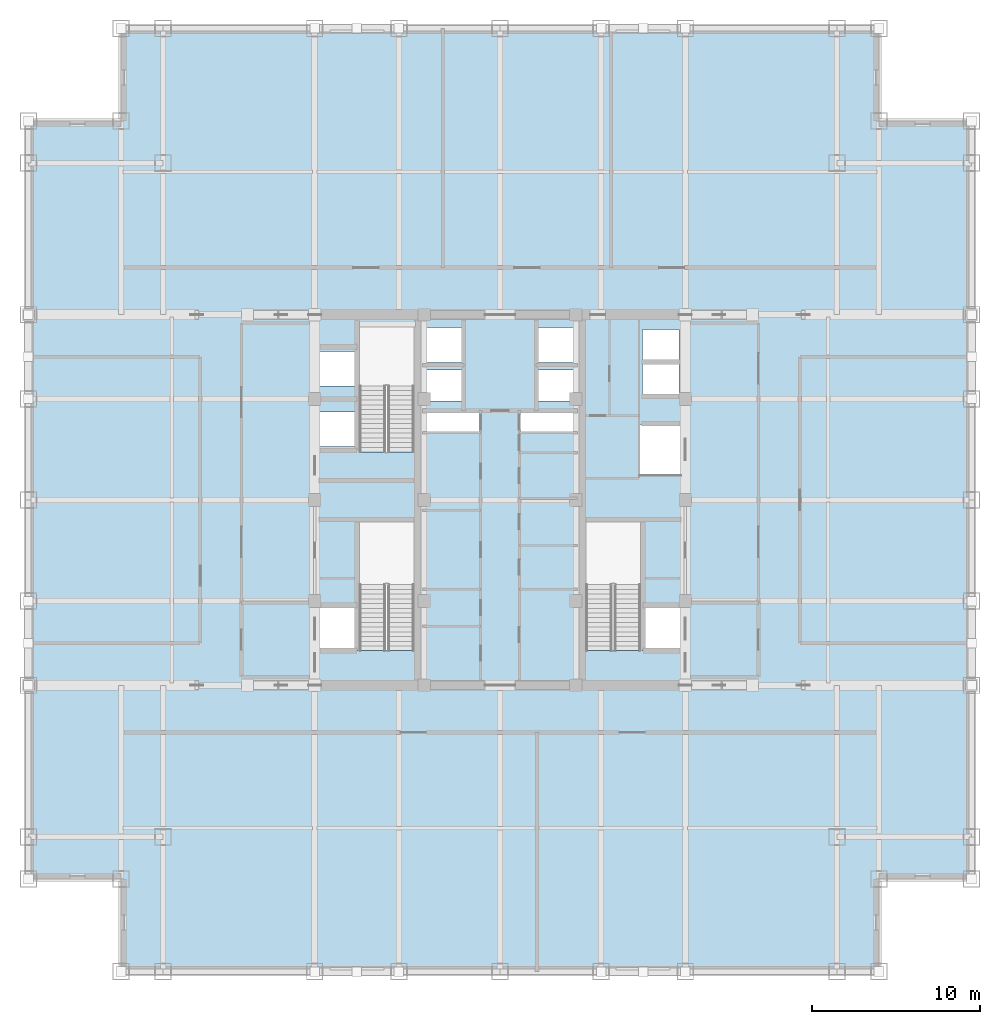
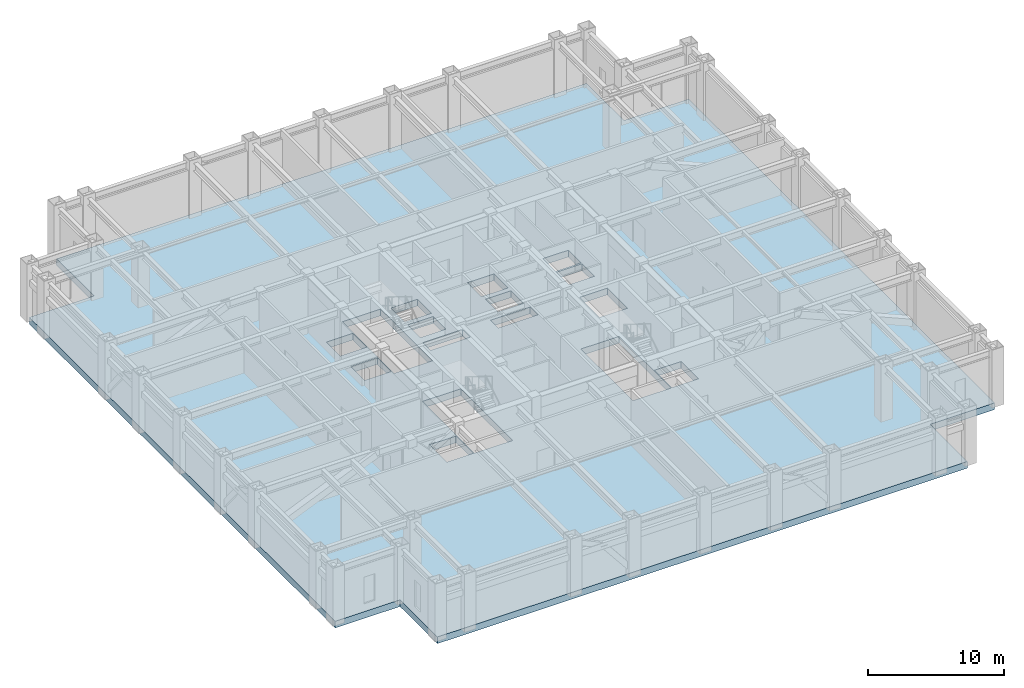
# One storey, part 4 of 11: 1 slab.
"""IFC4 building model written with IfcOpenShell, lengths in metres."""

from ifc_helpers import new_model, si_unit, direction, frame, origin, place, context, subcontext, project, spatial, polyline, outline, extrude, material, layer, layer_set, type_object, element, save


model = new_model("IFC4")

# Units and contexts
model_context = context("Model", 3, precision=1e-05, world=origin(), true_north=direction((0.0, 1.0)))
body_context = subcontext(model_context, "Body", "Model", "MODEL_VIEW")
ifc_project = project(units=[si_unit("LENGTHUNIT", "METRE"), si_unit("AREAUNIT", "SQUARE_METRE"), si_unit("VOLUMEUNIT", "CUBIC_METRE"), si_unit("PLANEANGLEUNIT", "RADIAN"), si_unit("MASSUNIT", "GRAM", prefix="KILO")], contexts=[model_context])

# Site, building, storey
site_placement = place(None, origin())
site = spatial("IfcSite", under=ifc_project, at=site_placement, CompositionType="ELEMENT")
building_placement = place(site_placement, origin())
building = spatial("IfcBuilding", under=site, at=building_placement, Name="Khorayat Bourse Tower", CompositionType="ELEMENT")
storey_placement = place(building_placement, frame((0.0, 0.0, 268.300048828125)))
storey = spatial("IfcBuildingStorey", under=building, at=storey_placement, Name="L63", CompositionType="ELEMENT", Elevation=268.300048828125)

# Slab
ifc_material = material(Name="Concrete C50/60", Category="concrete")
ifc_layer = layer(ifc_material, 0.60009765625)
ifc_layer_set = layer_set([ifc_layer], Name="Concrete C50/60")
slab_type = type_object("IfcSlabType", Name="SLB-TRANS-600", PredefinedType="FLOOR", material=ifc_layer_set)
slab_placement = place(storey_placement, frame((0.0, 0.0, -0.60009765625)))
element("IfcSlab", 1, at=slab_placement, inside=storey, type_object=slab_type, Name="L63 Main Floor Slab", PredefinedType="FLOOR", context=body_context, shape_type="SweptSolid", body=[
    extrude(outline(polyline([(-22.5, -28.0), (22.5, -28.0), (22.5, -22.5), (28.0, -22.5), (28.0, 22.5), (22.5, 22.5), (22.5, 28.0), (-22.5, 28.0), (-22.5, 22.5), (-28.0, 22.5), (-28.0, -22.5), (-22.5, -22.5), (-22.5, -28.0)]), holes=[polyline([(-8.35009765625, -8.945068359375), (-5.10009765625, -8.945068359375), (-5.10009765625, -1.300048828125), (-8.35009765625, -1.300048828125), (-8.35009765625, -8.945068359375)]), polyline([(-8.35009765625, 2.85498046875), (-5.10009765625, 2.85498046875), (-5.10009765625, 10.5), (-8.35009765625, 10.5), (-8.35009765625, 2.85498046875)]), polyline([(5.10009765625, -8.945068359375), (8.35009765625, -8.945068359375), (8.35009765625, -1.300048828125), (5.10009765625, -1.300048828125), (5.10009765625, -8.945068359375)]), polyline([(-4.3798828125, 8.169921875), (-2.1201171875, 8.169921875), (-2.1201171875, 10.22998046875), (-4.3798828125, 10.22998046875), (-4.3798828125, 8.169921875)]), polyline([(2.1201171875, 8.169921875), (4.3798828125, 8.169921875), (4.3798828125, 10.22998046875), (2.1201171875, 10.22998046875), (2.1201171875, 8.169921875)]), polyline([(-4.3798828125, 5.8701171875), (-2.219970703125, 5.8701171875), (-2.219970703125, 7.72998046875), (-4.3798828125, 7.72998046875), (-4.3798828125, 5.8701171875)]), polyline([(2.219970703125, 5.8701171875), (4.3798828125, 5.8701171875), (4.3798828125, 7.72998046875), (2.219970703125, 7.72998046875), (2.219970703125, 5.8701171875)]), polyline([(-10.679931640625, 3.169921875), (-8.419921875, 3.169921875), (-8.419921875, 5.22998046875), (-10.679931640625, 5.22998046875), (-10.679931640625, 3.169921875)]), polyline([(-10.679931640625, 6.77001953125), (-8.419921875, 6.77001953125), (-8.419921875, 8.830078125), (-10.679931640625, 8.830078125), (-10.679931640625, 6.77001953125)]), polyline([(8.469970703125, 6.27001953125), (10.6298828125, 6.27001953125), (10.6298828125, 8.1298828125), (8.469970703125, 8.1298828125), (8.469970703125, 6.27001953125)]), polyline([(8.469970703125, 8.27001953125), (10.6298828125, 8.27001953125), (10.6298828125, 10.1298828125), (8.469970703125, 10.1298828125), (8.469970703125, 8.27001953125)]), polyline([(-10.679931640625, -8.929931640625), (-8.419921875, -8.929931640625), (-8.419921875, -6.3701171875), (-10.679931640625, -6.3701171875), (-10.679931640625, -8.929931640625)]), polyline([(8.419921875, -8.929931640625), (10.679931640625, -8.929931640625), (10.679931640625, -6.3701171875), (8.419921875, -6.3701171875), (8.419921875, -8.929931640625)]), polyline([(8.320068359375, 1.52001953125), (10.679931640625, 1.52001953125), (10.679931640625, 4.47998046875), (8.320068359375, 4.47998046875), (8.320068359375, 1.52001953125)]), polyline([(-4.56005859375, 4.080078125), (-1.18994140625, 4.080078125), (-1.18994140625, 5.219970703125), (-4.56005859375, 5.219970703125), (-4.56005859375, 4.080078125)]), polyline([(1.18994140625, 4.080078125), (4.56005859375, 4.080078125), (4.56005859375, 5.219970703125), (1.18994140625, 5.219970703125), (1.18994140625, 4.080078125)])]), origin(), (0.0, 0.0, 1.0), 0.60009765625),
])

save(model, "model.ifc")
